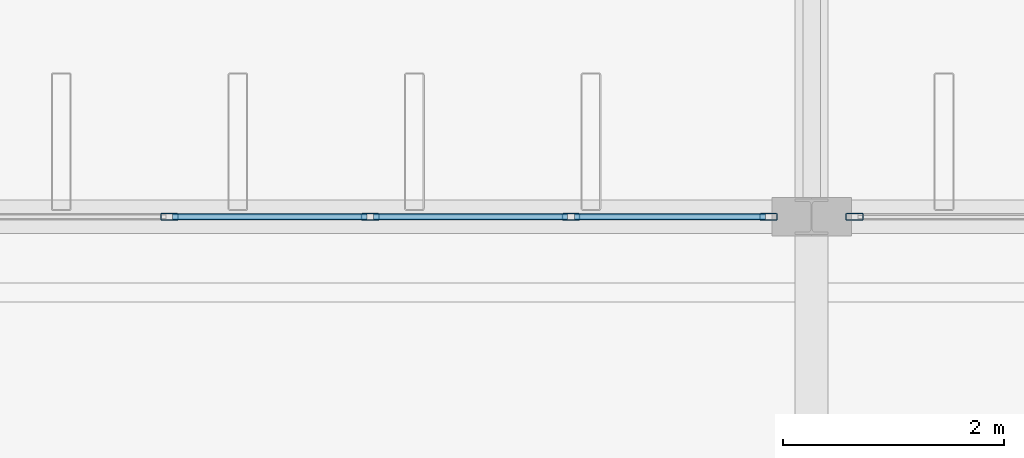
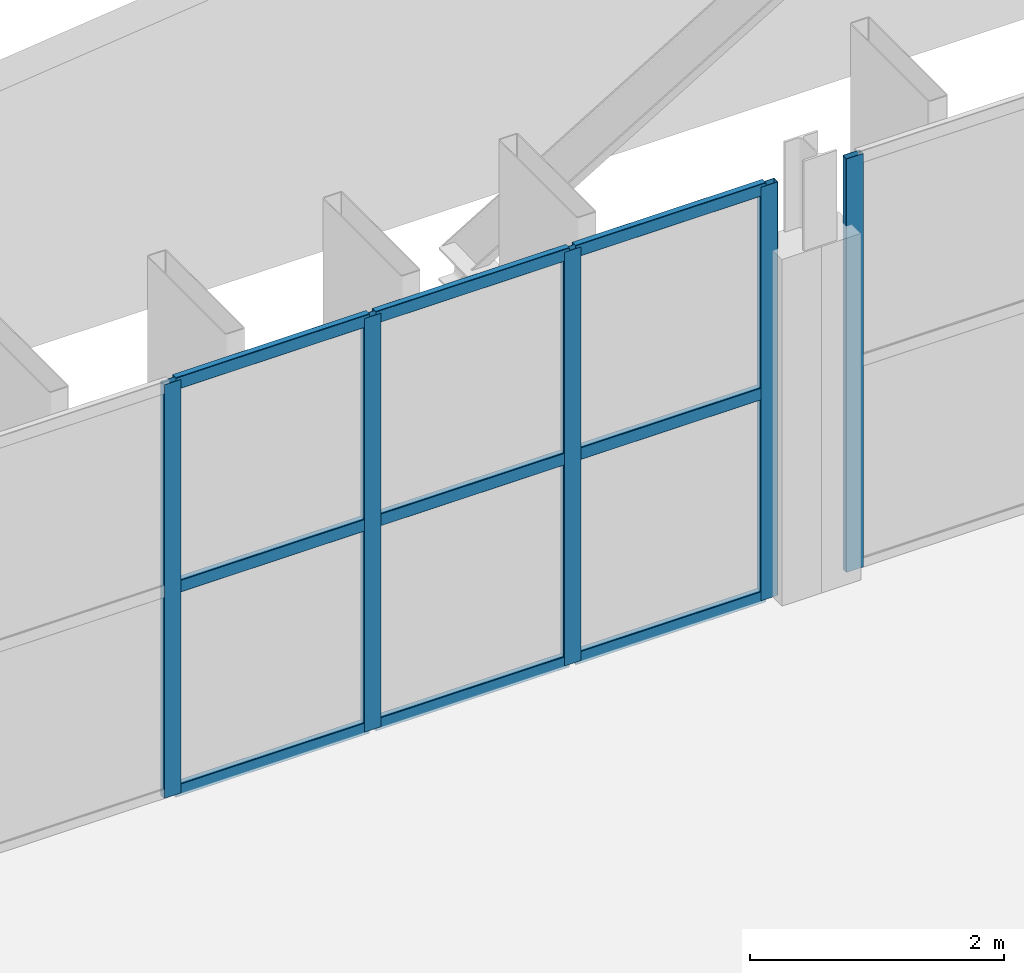
# One storey, part 46 of 93: 14 members, 2 elements without a shape of their own.
"""IFC4 building model written with IfcOpenShell, lengths in metres."""

from ifc_helpers import new_model, si_unit, direction, frame, origin, origin_2d, place, context, subcontext, project, spatial, hollow_rectangle, extrude, material, layer, layer_set, material_profile, profile_set, type_object, element, aggregate, save


model = new_model("IFC4")

# Units and contexts
model_context = context("Model", 3, precision=1e-05, world=origin(), true_north=direction((0.0, 1.0)))
body_context = subcontext(model_context, "Body", "Model", "MODEL_VIEW")
ifc_project = project(units=[si_unit("LENGTHUNIT", "METRE"), si_unit("AREAUNIT", "SQUARE_METRE"), si_unit("VOLUMEUNIT", "CUBIC_METRE"), si_unit("PLANEANGLEUNIT", "RADIAN"), si_unit("MASSUNIT", "GRAM", prefix="KILO")], contexts=[model_context])

# Site, building, storey
site_placement = place(None, origin())
site = spatial("IfcSite", under=ifc_project, at=site_placement, CompositionType="ELEMENT")
building_placement = place(site_placement, origin())
building = spatial("IfcBuilding", under=site, at=building_placement, Name="Vekula Escarpment Museum", CompositionType="ELEMENT")
storey_placement = place(building_placement, frame((0.0, 0.0, 22.199951171875)))
storey = spatial("IfcBuildingStorey", under=building, at=storey_placement, Name="L05", CompositionType="ELEMENT", Elevation=22.199951171875)

# Curtain wall, member
ifc_material_1 = material(Name="Aluminium thermally broken framing", Category="aluminium")
ifc_layer_1 = layer(ifc_material_1, 0.169921875)
ifc_layer_set_1 = layer_set([ifc_layer_1], Name="Aluminium thermally broken framing")
curtain_wall_type_1 = type_object("IfcCurtainWallType", Name="CW-SYS-10", PredefinedType="NOTDEFINED", material=ifc_layer_set_1)
curtain_wall_1_placement = place(storey_placement, origin())
curtain_wall_1 = element("IfcCurtainWall", 1, at=curtain_wall_1_placement, inside=storey, type_object=curtain_wall_type_1, Name="Curtain Wall CW-L05-180", PredefinedType="NOTDEFINED")
ifc_material_2 = material(Name="Aluminium anodized mullion", Category="aluminium")
ifc_material_profile_1 = material_profile(ifc_material_2, hollow_rectangle(XDim=0.06005859375, YDim=0.159912109375, WallThickness=0.00390625, InnerFilletRadius=0.00390625, OuterFilletRadius=0.008056640625, at=origin_2d()), Name="ALU 160x60x4")
ifc_profile_set_1 = profile_set([ifc_material_profile_1], Name="Aluminium anodized mullion")
member_type_1 = type_object("IfcMemberType", Name="CW-MUL-160", PredefinedType="MULLION", material=ifc_profile_set_1)
member_1_placement = place(storey_placement, frame((86.389892578125, 90.39990234375, 0.0), z_axis=(0.0, 0.0, 1.0), x_axis=(0.0, -1.0, 0.0)))
member_1 = element("IfcMember", 2, at=member_1_placement, type_object=member_type_1, Name="CW-10 mullion 4", PredefinedType="MULLION", context=body_context, shape_type="SweptSolid", body=[
    extrude(hollow_rectangle(XDim=0.06005859375, YDim=0.159912109375, WallThickness=0.00390625, InnerFilletRadius=0.00390625, OuterFilletRadius=0.008056640625, at=origin_2d()), origin(), (0.0, 0.0, 1.0), 3.97998046875),
])
aggregate(curtain_wall_1, [member_1])

# Curtain wall, members
ifc_material_3 = material(Name="Aluminium thermally broken framing", Category="aluminium")
ifc_layer_2 = layer(ifc_material_3, 0.159912109375)
ifc_layer_set_2 = layer_set([ifc_layer_2], Name="Aluminium thermally broken framing")
curtain_wall_type_2 = type_object("IfcCurtainWallType", Name="CW-SYS-01", PredefinedType="NOTDEFINED", material=ifc_layer_set_2)
curtain_wall_2_placement = place(storey_placement, origin())
curtain_wall_2 = element("IfcCurtainWall", 3, at=curtain_wall_2_placement, inside=storey, type_object=curtain_wall_type_2, Name="Curtain Wall CW-L05-181", PredefinedType="NOTDEFINED")
member_2_placement = place(storey_placement, frame((85.610107421875, 90.39990234375, 0.0), z_axis=(0.0, 0.0, 1.0), x_axis=(0.0, -1.0, 0.0)))
member_2 = element("IfcMember", 4, at=member_2_placement, type_object=member_type_1, Name="CW-01 mullion 1", PredefinedType="MULLION", context=body_context, shape_type="SweptSolid", body=[
    extrude(hollow_rectangle(XDim=0.06005859375, YDim=0.159912109375, WallThickness=0.00390625, InnerFilletRadius=0.00390625, OuterFilletRadius=0.008056640625, at=origin_2d()), origin(), (0.0, 0.0, 1.0), 3.97998046875),
])
member_3_placement = place(storey_placement, frame((83.820068359375, 90.39990234375, 0.0), z_axis=(0.0, 0.0, 1.0), x_axis=(0.0, -1.0, 0.0)))
member_3 = element("IfcMember", 5, at=member_3_placement, type_object=member_type_1, Name="CW-01 mullion 2", PredefinedType="MULLION", context=body_context, shape_type="SweptSolid", body=[
    extrude(hollow_rectangle(XDim=0.06005859375, YDim=0.159912109375, WallThickness=0.00390625, InnerFilletRadius=0.00390625, OuterFilletRadius=0.008056640625, at=origin_2d()), origin(), (0.0, 0.0, 1.0), 3.97998046875),
])
member_4_placement = place(storey_placement, frame((82.0, 90.39990234375, 0.0), z_axis=(0.0, 0.0, 1.0), x_axis=(0.0, -1.0, 0.0)))
member_4 = element("IfcMember", 6, at=member_4_placement, type_object=member_type_1, Name="CW-01 mullion 3", PredefinedType="MULLION", context=body_context, shape_type="SweptSolid", body=[
    extrude(hollow_rectangle(XDim=0.06005859375, YDim=0.159912109375, WallThickness=0.00390625, InnerFilletRadius=0.00390625, OuterFilletRadius=0.008056640625, at=origin_2d()), origin(), (0.0, 0.0, 1.0), 3.97998046875),
])
member_5_placement = place(storey_placement, frame((80.179931640625, 90.39990234375, 0.0), z_axis=(0.0, 0.0, 1.0), x_axis=(0.0, -1.0, 0.0)))
member_5 = element("IfcMember", 7, at=member_5_placement, type_object=member_type_1, Name="CW-01 mullion 4", PredefinedType="MULLION", context=body_context, shape_type="SweptSolid", body=[
    extrude(hollow_rectangle(XDim=0.06005859375, YDim=0.159912109375, WallThickness=0.00390625, InnerFilletRadius=0.00390625, OuterFilletRadius=0.008056640625, at=origin_2d()), origin(), (0.0, 0.0, 1.0), 3.97998046875),
])
ifc_material_4 = material(Name="Aluminium anodized transom", Category="aluminium")
ifc_material_profile_2 = material_profile(ifc_material_4, hollow_rectangle(XDim=0.06005859375, YDim=0.1201171875, WallThickness=0.00390625, InnerFilletRadius=0.00390625, OuterFilletRadius=0.008056640625, at=origin_2d()), Name="ALU 120x60x4")
ifc_profile_set_2 = profile_set([ifc_material_profile_2], Name="Aluminium anodized transom")
member_type_2 = type_object("IfcMemberType", Name="CW-TRN-120", PredefinedType="USERDEFINED", material=ifc_profile_set_2)
member_6_placement = place(storey_placement, frame((85.580078125, 90.39990234375, 0.030029296875), z_axis=(-1.0, 0.0, 0.0), x_axis=(0.0, -1.0, 0.0)))
member_6 = element("IfcMember", 8, at=member_6_placement, type_object=member_type_2, Name="CW-01 transom 1.1", ObjectType="TRANSOM", PredefinedType="USERDEFINED", context=body_context, shape_type="SweptSolid", body=[
    extrude(hollow_rectangle(XDim=0.06005859375, YDim=0.1201171875, WallThickness=0.00390625, InnerFilletRadius=0.00390625, OuterFilletRadius=0.008056640625, at=origin_2d()), origin(), (0.0, 0.0, 1.0), 1.72998046875),
])
member_7_placement = place(storey_placement, frame((85.580078125, 90.39990234375, 1.989990234375), z_axis=(-1.0, 0.0, 0.0), x_axis=(0.0, -1.0, 0.0)))
member_7 = element("IfcMember", 9, at=member_7_placement, type_object=member_type_2, Name="CW-01 transom 1.2", ObjectType="TRANSOM", PredefinedType="USERDEFINED", context=body_context, shape_type="SweptSolid", body=[
    extrude(hollow_rectangle(XDim=0.06005859375, YDim=0.1201171875, WallThickness=0.00390625, InnerFilletRadius=0.00390625, OuterFilletRadius=0.008056640625, at=origin_2d()), origin(), (0.0, 0.0, 1.0), 1.72998046875),
])
member_8_placement = place(storey_placement, frame((85.580078125, 90.39990234375, 3.949951171875), z_axis=(-1.0, 0.0, 0.0), x_axis=(0.0, -1.0, 0.0)))
member_8 = element("IfcMember", 10, at=member_8_placement, type_object=member_type_2, Name="CW-01 transom 1.3", ObjectType="TRANSOM", PredefinedType="USERDEFINED", context=body_context, shape_type="SweptSolid", body=[
    extrude(hollow_rectangle(XDim=0.06005859375, YDim=0.1201171875, WallThickness=0.00390625, InnerFilletRadius=0.00390625, OuterFilletRadius=0.008056640625, at=origin_2d()), origin(), (0.0, 0.0, 1.0), 1.72998046875),
])
member_9_placement = place(storey_placement, frame((83.7900390625, 90.39990234375, 0.030029296875), z_axis=(-1.0, 0.0, 0.0), x_axis=(0.0, -1.0, 0.0)))
member_9 = element("IfcMember", 11, at=member_9_placement, type_object=member_type_2, Name="CW-01 transom 2.1", ObjectType="TRANSOM", PredefinedType="USERDEFINED", context=body_context, shape_type="SweptSolid", body=[
    extrude(hollow_rectangle(XDim=0.06005859375, YDim=0.1201171875, WallThickness=0.00390625, InnerFilletRadius=0.00390625, OuterFilletRadius=0.008056640625, at=origin_2d()), origin(), (0.0, 0.0, 1.0), 1.760009765625),
])
member_10_placement = place(storey_placement, frame((83.7900390625, 90.39990234375, 1.989990234375), z_axis=(-1.0, 0.0, 0.0), x_axis=(0.0, -1.0, 0.0)))
member_10 = element("IfcMember", 12, at=member_10_placement, type_object=member_type_2, Name="CW-01 transom 2.2", ObjectType="TRANSOM", PredefinedType="USERDEFINED", context=body_context, shape_type="SweptSolid", body=[
    extrude(hollow_rectangle(XDim=0.06005859375, YDim=0.1201171875, WallThickness=0.00390625, InnerFilletRadius=0.00390625, OuterFilletRadius=0.008056640625, at=origin_2d()), origin(), (0.0, 0.0, 1.0), 1.760009765625),
])
member_11_placement = place(storey_placement, frame((83.7900390625, 90.39990234375, 3.949951171875), z_axis=(-1.0, 0.0, 0.0), x_axis=(0.0, -1.0, 0.0)))
member_11 = element("IfcMember", 13, at=member_11_placement, type_object=member_type_2, Name="CW-01 transom 2.3", ObjectType="TRANSOM", PredefinedType="USERDEFINED", context=body_context, shape_type="SweptSolid", body=[
    extrude(hollow_rectangle(XDim=0.06005859375, YDim=0.1201171875, WallThickness=0.00390625, InnerFilletRadius=0.00390625, OuterFilletRadius=0.008056640625, at=origin_2d()), origin(), (0.0, 0.0, 1.0), 1.760009765625),
])
member_12_placement = place(storey_placement, frame((81.969970703125, 90.39990234375, 0.030029296875), z_axis=(-1.0, 0.0, 0.0), x_axis=(0.0, -1.0, 0.0)))
member_12 = element("IfcMember", 14, at=member_12_placement, type_object=member_type_2, Name="CW-01 transom 3.1", ObjectType="TRANSOM", PredefinedType="USERDEFINED", context=body_context, shape_type="SweptSolid", body=[
    extrude(hollow_rectangle(XDim=0.06005859375, YDim=0.1201171875, WallThickness=0.00390625, InnerFilletRadius=0.00390625, OuterFilletRadius=0.008056640625, at=origin_2d()), origin(), (0.0, 0.0, 1.0), 1.760009765625),
])
member_13_placement = place(storey_placement, frame((81.969970703125, 90.39990234375, 1.989990234375), z_axis=(-1.0, 0.0, 0.0), x_axis=(0.0, -1.0, 0.0)))
member_13 = element("IfcMember", 15, at=member_13_placement, type_object=member_type_2, Name="CW-01 transom 3.2", ObjectType="TRANSOM", PredefinedType="USERDEFINED", context=body_context, shape_type="SweptSolid", body=[
    extrude(hollow_rectangle(XDim=0.06005859375, YDim=0.1201171875, WallThickness=0.00390625, InnerFilletRadius=0.00390625, OuterFilletRadius=0.008056640625, at=origin_2d()), origin(), (0.0, 0.0, 1.0), 1.760009765625),
])
member_14_placement = place(storey_placement, frame((81.969970703125, 90.39990234375, 3.949951171875), z_axis=(-1.0, 0.0, 0.0), x_axis=(0.0, -1.0, 0.0)))
member_14 = element("IfcMember", 16, at=member_14_placement, type_object=member_type_2, Name="CW-01 transom 3.3", ObjectType="TRANSOM", PredefinedType="USERDEFINED", context=body_context, shape_type="SweptSolid", body=[
    extrude(hollow_rectangle(XDim=0.06005859375, YDim=0.1201171875, WallThickness=0.00390625, InnerFilletRadius=0.00390625, OuterFilletRadius=0.008056640625, at=origin_2d()), origin(), (0.0, 0.0, 1.0), 1.760009765625),
])
aggregate(curtain_wall_2, [member_2, member_3, member_4, member_5, member_6, member_7, member_8, member_9, member_10, member_11, member_12, member_13, member_14])

save(model, "model.ifc")
